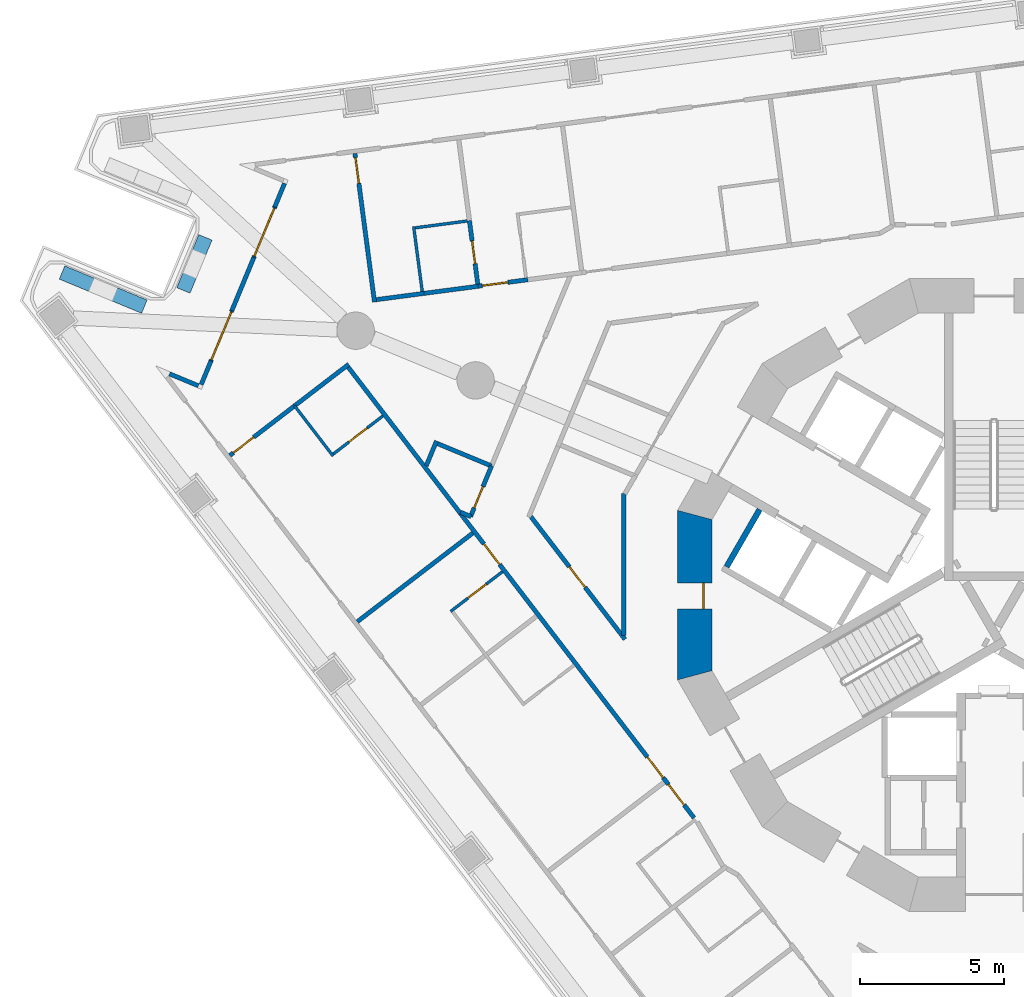
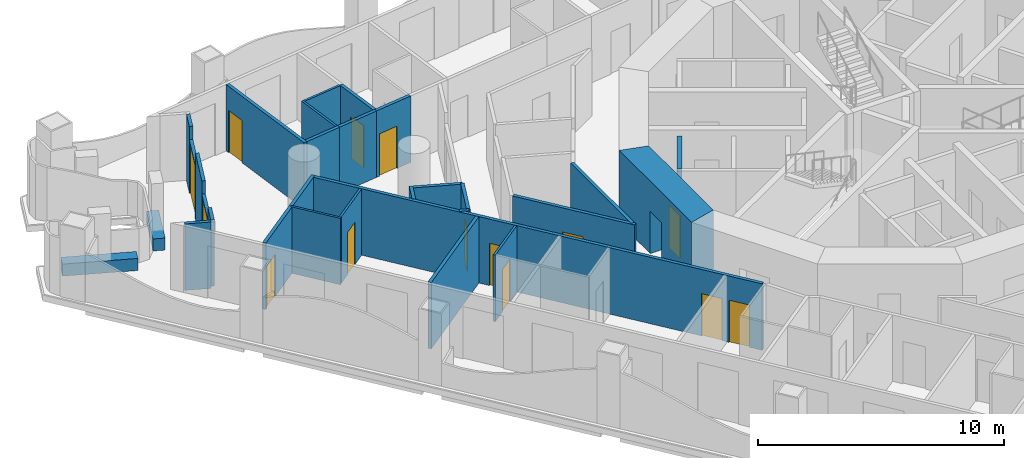
# One storey, part 6 of 19: 30 walls, 14 doors, 14 openings.
"""IFC4 building model written with IfcOpenShell, lengths in metres."""

from ifc_helpers import new_model, si_unit, direction, frame, frame_2d, origin, place, context, subcontext, project, spatial, polyline, rectangle, outline, extrude, material, layer, layer_set, type_object, element, fill, save


model = new_model("IFC4")

# Units and contexts
model_context = context("Model", 3, precision=1e-05, world=origin(), true_north=direction((0.0, 1.0)))
body_context = subcontext(model_context, "Body", "Model", "MODEL_VIEW")
ifc_project = project(units=[si_unit("LENGTHUNIT", "METRE"), si_unit("AREAUNIT", "SQUARE_METRE"), si_unit("VOLUMEUNIT", "CUBIC_METRE"), si_unit("PLANEANGLEUNIT", "RADIAN"), si_unit("MASSUNIT", "GRAM", prefix="KILO")], contexts=[model_context])

# Site, building, storey
site_placement = place(None, origin())
site = spatial("IfcSite", under=ifc_project, at=site_placement, CompositionType="ELEMENT")
building_placement = place(site_placement, origin())
building = spatial("IfcBuilding", under=site, at=building_placement, Name="Trine Commons Tower", CompositionType="ELEMENT")
storey_placement = place(building_placement, frame((0.0, 0.0, 72.0)))
storey = spatial("IfcBuildingStorey", under=building, at=storey_placement, Name="L17", CompositionType="ELEMENT", Elevation=72.0)

# Walls
ifc_material_1 = material(Name="Aluminium-framed insulated wall panel", Category="aluminium")
ifc_layer_1 = layer(ifc_material_1, 0.14990234375)
ifc_layer_set_1 = layer_set([ifc_layer_1], Name="Aluminium-framed insulated wall panel")
wall_type_1 = type_object("IfcWallType", Name="Glazed frame wall 150, EI 60", PredefinedType="SOLIDWALL", material=ifc_layer_set_1)
wall_1_placement = place(storey_placement, frame((51.175537109375, 70.256103515625, 0.0), z_axis=(0.0, 0.0, 1.0), x_axis=(0.923901801611, -0.382629665579, 0.0)))
element("IfcWall", 1, at=wall_1_placement, inside=storey, type_object=wall_type_1, Name="Glazed frame wall R1", PredefinedType="SOLIDWALL", context=body_context, shape_type="SweptSolid", body=[
    extrude(outline(polyline([(0.1494140625, 0.074951171875), (0.1494140625, -0.074951171875), (1.235107421875, -0.074951171875), (1.235107421875, 0.074951171875), (0.1494140625, 0.074951171875)])), origin(), (0.0, 0.0, 1.0), 3.300048828125),
])
wall_2_placement = place(storey_placement, frame((52.372314453125, 69.722412109375, 0.0), z_axis=(0.0, 0.0, 1.0), x_axis=(0.382603377961, 0.923912688068, 0.0)))
element("IfcWall", 2, at=wall_2_placement, inside=storey, type_object=wall_type_1, Name="Glazed frame wall P1.1", PredefinedType="SOLIDWALL", context=body_context, shape_type="SweptSolid", body=[
    extrude(outline(polyline([(0.110107421875, -0.074951171875), (1.0, -0.074951171875), (1.0, 0.074951171875), (0.110107421875, 0.074951171875), (0.110107421875, -0.074951171875)])), origin(), (0.0, 0.0, 1.0), 3.300048828125),
])

# Wall, opening, door
wall_3_placement = place(storey_placement, frame((52.7548828125, 70.646240234375, 0.0), z_axis=(0.0, 0.0, 1.0), x_axis=(0.382771661121, 0.923842982028, 0.0)))
wall_3 = element("IfcWall", 3, at=wall_3_placement, inside=storey, type_object=wall_type_1, Name="Glazed frame wall P1.2", PredefinedType="SOLIDWALL", context=body_context, shape_type="SweptSolid", body=[
    extrude(outline(polyline([(0.0, -0.074951171875), (1.89990234375, -0.074951171875), (1.89990234375, 0.074951171875), (0.0, 0.074951171875), (0.0, -0.074951171875)])), origin(), (0.0, 0.0, 1.0), 2.64990234375),
])
opening_1_placement = place(wall_3_placement, frame((0.050048828125, 0.0, 0.0)))
opening_1 = element("IfcOpeningElement", 4, at=opening_1_placement, cuts=wall_3, Name="Opening BD-2P1-01", PredefinedType="OPENING", context=body_context, shape_type="SweptSolid", body=[
    extrude(rectangle(XDim=1.800048828125, YDim=2.60009765625, at=frame_2d((0.89990234375, 1.300048828125))), frame((0.0, 0.0849609375, 0.0), z_axis=(0.0, -1.0, 0.0), x_axis=(1.0, 0.0, 0.0)), (0.0, 0.0, 1.0), 0.169921875),
])
ifc_material_2 = material(Name="Anodised aluminium frame with double glazing", Category="aluminium")
door_type_1 = type_object("IfcDoorType", Name="Sliding loggia door 1800x2600", OperationType="SLIDING_TO_LEFT", PredefinedType="DOOR", material=ifc_material_2)
door_1_placement = place(opening_1_placement, origin())
door_1 = element("IfcDoor", 5, at=door_1_placement, inside=storey, type_object=door_type_1, Name="Loggia door P1 1", OperationType="SLIDING_TO_LEFT", OverallHeight=2.60009765625, OverallWidth=1.800048828125, PredefinedType="DOOR", context=body_context, shape_type="SweptSolid", body=[
    extrude(rectangle(XDim=1.800048828125, YDim=2.60009765625, at=frame_2d((0.89990234375, 1.300048828125))), frame((0.0, 0.02490234375, 0.0), z_axis=(0.0, -1.0, 0.0), x_axis=(1.0, 0.0, 0.0)), (0.0, 0.0, 1.0), 0.050048828125),
])
fill(opening_1, door_1)

# Wall
wall_4_placement = place(storey_placement, frame((53.482177734375, 72.401611328125, 0.0), z_axis=(0.0, 0.0, 1.0), x_axis=(0.382664423091, 0.923887406181, 0.0)))
element("IfcWall", 6, at=wall_4_placement, inside=storey, type_object=wall_type_1, Name="Glazed frame wall P1.3", PredefinedType="SOLIDWALL", context=body_context, shape_type="SweptSolid", body=[
    extrude(outline(polyline([(0.0, -0.074951171875), (2.0, -0.074951171875), (2.0, 0.074951171875), (0.0, 0.074951171875), (0.0, -0.074951171875)])), origin(), (0.0, 0.0, 1.0), 3.300048828125),
])

# Wall, opening, door
wall_5_placement = place(storey_placement, frame((54.24755859375, 74.24951171875, 0.0), z_axis=(0.0, 0.0, 1.0), x_axis=(0.382661988648, 0.923888414498, 0.0)))
wall_5 = element("IfcWall", 7, at=wall_5_placement, inside=storey, type_object=wall_type_1, Name="Glazed frame wall P1.4", PredefinedType="SOLIDWALL", context=body_context, shape_type="SweptSolid", body=[
    extrude(outline(polyline([(0.0, -0.074951171875), (1.89990234375, -0.074951171875), (1.89990234375, 0.074951171875), (0.0, 0.074951171875), (0.0, -0.074951171875)])), origin(), (0.0, 0.0, 1.0), 2.64990234375),
])
opening_2_placement = place(wall_5_placement, frame((0.050048828125, 0.0, 0.0)))
opening_2 = element("IfcOpeningElement", 8, at=opening_2_placement, cuts=wall_5, Name="Opening BD-2P1-02", PredefinedType="OPENING", context=body_context, shape_type="SweptSolid", body=[
    extrude(rectangle(XDim=1.800048828125, YDim=2.60009765625, at=frame_2d((0.89990234375, 1.300048828125))), frame((0.0, 0.0849609375, 0.0), z_axis=(0.0, -1.0, 0.0), x_axis=(1.0, 0.0, 0.0)), (0.0, 0.0, 1.0), 0.169921875),
])
door_2_placement = place(opening_2_placement, origin())
door_2 = element("IfcDoor", 9, at=door_2_placement, inside=storey, type_object=door_type_1, Name="Loggia door P1 2", OperationType="SLIDING_TO_LEFT", OverallHeight=2.60009765625, OverallWidth=1.800048828125, PredefinedType="DOOR", context=body_context, shape_type="SweptSolid", body=[
    extrude(rectangle(XDim=1.800048828125, YDim=2.60009765625, at=frame_2d((0.89990234375, 1.300048828125))), frame((0.0, 0.02490234375, 0.0), z_axis=(0.0, -1.0, 0.0), x_axis=(1.0, 0.0, 0.0)), (0.0, 0.0, 1.0), 0.050048828125),
])
fill(opening_2, door_2)

# Walls
wall_6_placement = place(storey_placement, frame((54.974609375, 76.0048828125, 0.0), z_axis=(0.0, 0.0, 1.0), x_axis=(0.382811769845, 0.923826362943, 0.0)))
element("IfcWall", 10, at=wall_6_placement, inside=storey, type_object=wall_type_1, Name="Glazed frame wall P1.5", PredefinedType="SOLIDWALL", context=body_context, shape_type="SweptSolid", body=[
    extrude(outline(polyline([(0.889892578125, 0.074951171875), (0.0, 0.074951171875), (0.0, -0.074951171875), (0.889892578125, -0.074951171875), (0.889892578125, 0.074951171875)])), origin(), (0.0, 0.0, 1.0), 3.300048828125),
])
ifc_material_3 = material(Name="Planter trough, precast concrete C40/50", Category="concrete")
ifc_layer_2 = layer(ifc_material_3, 0.5)
ifc_layer_set_2 = layer_set([ifc_layer_2], Name="Planter trough, precast concrete C40/50")
wall_type_2 = type_object("IfcWallType", Name="Planter trough 500x600", PredefinedType="PARAPET", material=ifc_layer_set_2)
wall_7_placement = place(storey_placement, frame((47.5732421875, 73.723388671875, 0.0), z_axis=(0.0, 0.0, 1.0), x_axis=(0.923883411188, -0.382674068277, 0.0)))
element("IfcWall", 11, at=wall_7_placement, inside=storey, type_object=wall_type_2, Name="Planter 1", PredefinedType="PARAPET", context=body_context, shape_type="SweptSolid", body=[
    extrude(rectangle(XDim=3.099853515625, YDim=0.5, at=frame_2d((1.5498046875, 0.0))), origin(), (0.0, 0.0, 1.0), 0.60009765625),
])
wall_8_placement = place(storey_placement, frame((51.796142578125, 73.10009765625, 0.0), z_axis=(0.0, 0.0, 1.0), x_axis=(0.382603377961, 0.923912688068, 0.0)))
element("IfcWall", 12, at=wall_8_placement, inside=storey, type_object=wall_type_2, Name="Planter 2", PredefinedType="PARAPET", context=body_context, shape_type="SweptSolid", body=[
    extrude(rectangle(XDim=1.999755859375, YDim=0.5, at=frame_2d((1.0, 0.0))), origin(), (0.0, 0.0, 1.0), 0.60009765625),
])

# Wall, opening, door
ifc_material_4 = material(Name="Concrete C80/95", Category="concrete")
ifc_layer_3 = layer(ifc_material_4, 1.199951171875)
ifc_layer_set_3 = layer_set([ifc_layer_3], Name="Concrete C80/95")
wall_type_3 = type_object("IfcWallType", Name="RC shear wall 1200 mm, C80/95", PredefinedType="SHEAR", material=ifc_layer_set_3)
wall_9_placement = place(storey_placement, frame((69.58837890625, 65.450439453125, 0.0), z_axis=(0.0, 0.0, 1.0), x_axis=(0.0, -1.0, 0.0)))
wall_9 = element("IfcWall", 13, at=wall_9_placement, inside=storey, type_object=wall_type_3, Name="Core wall CWB-07 L17", PredefinedType="SHEAR", context=body_context, shape_type="SweptSolid", body=[
    extrude(outline(polyline([(0.0, -0.60009765625), (5.90087890625, -0.60009765625), (5.57958984375, 0.60009765625), (0.321533203125, 0.60009765625), (0.0, -0.60009765625)])), origin(), (0.0, 0.0, 1.0), 3.60009765625),
])
opening_3_placement = place(wall_9_placement, frame((2.525390625, 0.0, 0.0)))
opening_3 = element("IfcOpeningElement", 14, at=opening_3_placement, cuts=wall_9, Name="Opening K04.14", PredefinedType="OPENING", context=body_context, shape_type="SweptSolid", body=[
    extrude(rectangle(XDim=0.89990234375, YDim=2.10009765625, at=frame_2d((0.449951171875, 1.050048828125))), frame((0.0, 0.60986328125, 0.0), z_axis=(0.0, -1.0, 0.0), x_axis=(1.0, 0.0, 0.0)), (0.0, 0.0, 1.0), 1.219970703125),
])
ifc_material_5 = material(Name="Steel door leaf, fire-rated", Category="steel")
door_type_2 = type_object("IfcDoorType", Name="Core room door, single leaf 900 x 2100, FD30S", OperationType="SINGLE_SWING_LEFT", PredefinedType="DOOR", material=ifc_material_5)
door_3_placement = place(opening_3_placement, origin())
door_3 = element("IfcDoor", 15, at=door_3_placement, inside=storey, type_object=door_type_2, Name="Door to Print room L17", OperationType="SINGLE_SWING_RIGHT", OverallHeight=2.10009765625, OverallWidth=0.89990234375, PredefinedType="DOOR", context=body_context, shape_type="SweptSolid", body=[
    extrude(rectangle(XDim=0.89990234375, YDim=2.10009765625, at=frame_2d((0.449951171875, 1.050048828125))), frame((0.0, 0.3251953125, 0.0), z_axis=(0.0, -1.0, 0.0), x_axis=(1.0, 0.0, 0.0)), (0.0, 0.0, 1.0), 0.050048828125),
])
fill(opening_3, door_3)

# Wall
ifc_material_6 = material(Name="Fire-rated gypsum shaft wall system")
ifc_layer_4 = layer(ifc_material_6, 0.199951171875)
ifc_layer_set_4 = layer_set([ifc_layer_4], Name="Fire-rated gypsum shaft wall system")
wall_type_4 = type_object("IfcWallType", Name="Shaft wall 200 mm, EI 120", PredefinedType="PARTITIONING", material=ifc_layer_set_4)
wall_10_placement = place(storey_placement, frame((71.844970703125, 65.47607421875, 0.0), z_axis=(0.0, 0.0, 1.0), x_axis=(-0.500136062276, -0.86594683394, 0.0)))
element("IfcWall", 16, at=wall_10_placement, inside=storey, type_object=wall_type_4, Name="Shaft wall L17", PredefinedType="PARTITIONING", context=body_context, shape_type="SweptSolid", body=[
    extrude(rectangle(XDim=2.299072265625, YDim=0.199951171875, at=frame_2d((1.1494140625, 0.0))), origin(), (0.0, 0.0, 1.0), 3.300048828125),
])

# Wall, opening, door
ifc_material_7 = material(Name="Gypsum plasterboard on steel stud", Category="steel")
ifc_layer_5 = layer(ifc_material_7, 0.14990234375)
ifc_layer_set_5 = layer_set([ifc_layer_5], Name="Gypsum plasterboard on steel stud")
wall_type_5 = type_object("IfcWallType", Name="Unit and corridor wall 150 mm, EI 60", PredefinedType="PARTITIONING", material=ifc_layer_set_5)
wall_11_placement = place(storey_placement, frame((53.41162109375, 67.3583984375, 0.0), z_axis=(0.0, 0.0, 1.0), x_axis=(0.793542758611, 0.608514494696, 0.0)))
wall_11 = element("IfcWall", 17, at=wall_11_placement, inside=storey, type_object=wall_type_5, Name="Partition 001", PredefinedType="PARTITIONING", context=body_context, shape_type="SweptSolid", body=[
    extrude(rectangle(XDim=2.842041015625, YDim=0.14990234375, at=frame_2d((1.4208984375, 0.0))), origin(), (0.0, 0.0, 1.0), 3.300048828125),
])
opening_4_placement = place(wall_11_placement, frame((0.14990234375, 0.0, 0.0)))
opening_4 = element("IfcOpeningElement", 18, at=opening_4_placement, cuts=wall_11, Name="Opening D-2C32", PredefinedType="OPENING", context=body_context, shape_type="SweptSolid", body=[
    extrude(rectangle(XDim=0.89990234375, YDim=2.10009765625, at=frame_2d((0.449951171875, 1.050048828125))), frame((0.0, 0.0849609375, 0.0), z_axis=(0.0, -1.0, 0.0), x_axis=(1.0, 0.0, 0.0)), (0.0, 0.0, 1.0), 0.169921875),
])
ifc_material_8 = material(Name="Timber fire door set", Category="wood")
door_type_3 = type_object("IfcDoorType", Name="Bedroom door 900 x 2100, FD30S", OperationType="NOTDEFINED", PredefinedType="DOOR", material=ifc_material_8)
door_4_placement = place(opening_4_placement, frame((0.89990234375, 0.0, 0.0), z_axis=(0.0, 0.0, 1.0), x_axis=(-1.0, 0.0, 0.0)))
door_4 = element("IfcDoor", 19, at=door_4_placement, inside=storey, type_object=door_type_3, Name="Door D-2C32", OperationType="SINGLE_SWING_RIGHT", OverallHeight=2.10009765625, OverallWidth=0.89990234375, PredefinedType="DOOR", context=body_context, shape_type="SweptSolid", body=[
    extrude(rectangle(XDim=0.89990234375, YDim=2.10009765625, at=frame_2d((0.449951171875, 1.050048828125))), frame((0.0, 0.02490234375, 0.0), z_axis=(0.0, -1.0, 0.0), x_axis=(1.0, 0.0, 0.0)), (0.0, 0.0, 1.0), 0.050048828125),
])
fill(opening_4, door_4)

# Wall
wall_12_placement = place(storey_placement, frame((55.660888671875, 69.083984375, 0.0), z_axis=(0.0, 0.0, 1.0), x_axis=(0.793348529131, 0.608767698984, 0.0)))
element("IfcWall", 20, at=wall_12_placement, inside=storey, type_object=wall_type_5, Name="Partition 002", PredefinedType="PARTITIONING", context=body_context, shape_type="SweptSolid", body=[
    extrude(rectangle(XDim=2.378173828125, YDim=0.14990234375, at=frame_2d((1.18896484375, 0.0))), origin(), (0.0, 0.0, 1.0), 3.300048828125),
])

# Wall, openings, doors
wall_13_placement = place(storey_placement, frame((57.53369140625, 70.426513671875, 0.0), z_axis=(0.0, 0.0, 1.0), x_axis=(0.608794371867, -0.793328061261, 0.0)))
wall_13 = element("IfcWall", 21, at=wall_13_placement, inside=storey, type_object=wall_type_5, Name="Partition 005", PredefinedType="PARTITIONING", context=body_context, shape_type="SweptSolid", body=[
    extrude(rectangle(XDim=19.75927734375, YDim=0.14990234375, at=frame_2d((9.879638671875, 0.0))), origin(), (0.0, 0.0, 1.0), 3.300048828125),
])
opening_5_placement = place(wall_13_placement, frame((18.293212890625, 0.0, 0.0)))
opening_5 = element("IfcOpeningElement", 22, at=opening_5_placement, cuts=wall_13, Name="Opening D-2C29", PredefinedType="OPENING", context=body_context, shape_type="SweptSolid", body=[
    extrude(rectangle(XDim=0.89990234375, YDim=2.10009765625, at=frame_2d((0.449951171875, 1.050048828125))), frame((0.0, 0.0849609375, 0.0), z_axis=(0.0, -1.0, 0.0), x_axis=(1.0, 0.0, 0.0)), (0.0, 0.0, 1.0), 0.169921875),
])
opening_6_placement = place(wall_13_placement, frame((17.093017578125, 0.0, 0.0)))
opening_6 = element("IfcOpeningElement", 23, at=opening_6_placement, cuts=wall_13, Name="Opening D-2C30", PredefinedType="OPENING", context=body_context, shape_type="SweptSolid", body=[
    extrude(rectangle(XDim=0.89990234375, YDim=2.10009765625, at=frame_2d((0.449951171875, 1.050048828125))), frame((0.0, 0.0849609375, 0.0), z_axis=(0.0, -1.0, 0.0), x_axis=(1.0, 0.0, 0.0)), (0.0, 0.0, 1.0), 0.169921875),
])
opening_7_placement = place(wall_13_placement, frame((7.747802734375, 0.0, 0.0)))
opening_7 = element("IfcOpeningElement", 24, at=opening_7_placement, cuts=wall_13, Name="Opening D-2C31", PredefinedType="OPENING", context=body_context, shape_type="SweptSolid", body=[
    extrude(rectangle(XDim=0.89990234375, YDim=2.10009765625, at=frame_2d((0.449951171875, 1.050048828125))), frame((0.0, 0.0849609375, 0.0), z_axis=(0.0, -1.0, 0.0), x_axis=(1.0, 0.0, 0.0)), (0.0, 0.0, 1.0), 0.169921875),
])
door_5_placement = place(opening_5_placement, frame((0.89990234375, 0.0, 0.0), z_axis=(0.0, 0.0, 1.0), x_axis=(-1.0, 0.0, 0.0)))
door_5 = element("IfcDoor", 25, at=door_5_placement, inside=storey, type_object=door_type_3, Name="Door D-2C29", OperationType="SINGLE_SWING_LEFT", OverallHeight=2.10009765625, OverallWidth=0.89990234375, PredefinedType="DOOR", context=body_context, shape_type="SweptSolid", body=[
    extrude(rectangle(XDim=0.89990234375, YDim=2.10009765625, at=frame_2d((0.449951171875, 1.050048828125))), frame((0.0, 0.02490234375, 0.0), z_axis=(0.0, -1.0, 0.0), x_axis=(1.0, 0.0, 0.0)), (0.0, 0.0, 1.0), 0.050048828125),
])
fill(opening_5, door_5)
door_6_placement = place(opening_6_placement, frame((0.89990234375, 0.0, 0.0), z_axis=(0.0, 0.0, 1.0), x_axis=(-1.0, 0.0, 0.0)))
door_6 = element("IfcDoor", 26, at=door_6_placement, inside=storey, type_object=door_type_3, Name="Door D-2C30", OperationType="SINGLE_SWING_LEFT", OverallHeight=2.10009765625, OverallWidth=0.89990234375, PredefinedType="DOOR", context=body_context, shape_type="SweptSolid", body=[
    extrude(rectangle(XDim=0.89990234375, YDim=2.10009765625, at=frame_2d((0.449951171875, 1.050048828125))), frame((0.0, 0.02490234375, 0.0), z_axis=(0.0, -1.0, 0.0), x_axis=(1.0, 0.0, 0.0)), (0.0, 0.0, 1.0), 0.050048828125),
])
fill(opening_6, door_6)
door_7_placement = place(opening_7_placement, frame((0.89990234375, 0.0, 0.0), z_axis=(0.0, 0.0, 1.0), x_axis=(-1.0, 0.0, 0.0)))
door_7 = element("IfcDoor", 27, at=door_7_placement, inside=storey, type_object=door_type_3, Name="Door D-2C31", OperationType="SINGLE_SWING_RIGHT", OverallHeight=2.10009765625, OverallWidth=0.89990234375, PredefinedType="DOOR", context=body_context, shape_type="SweptSolid", body=[
    extrude(rectangle(XDim=0.89990234375, YDim=2.10009765625, at=frame_2d((0.449951171875, 1.050048828125))), frame((0.0, 0.02490234375, 0.0), z_axis=(0.0, -1.0, 0.0), x_axis=(1.0, 0.0, 0.0)), (0.0, 0.0, 1.0), 0.050048828125),
])
fill(opening_7, door_7)

# Wall, opening, door
wall_14_placement = place(storey_placement, frame((57.76416015625, 77.8662109375, 0.0), z_axis=(0.0, 0.0, 1.0), x_axis=(0.130538083061, -0.991443295842, 0.0)))
wall_14 = element("IfcWall", 28, at=wall_14_placement, inside=storey, type_object=wall_type_5, Name="Partition 006", PredefinedType="PARTITIONING", context=body_context, shape_type="SweptSolid", body=[
    extrude(rectangle(XDim=5.21435546875, YDim=0.14990234375, at=frame_2d((2.607177734375, 0.0))), origin(), (0.0, 0.0, 1.0), 3.300048828125),
])
opening_8_placement = place(wall_14_placement, frame((0.14990234375, 0.0, 0.0)))
opening_8 = element("IfcOpeningElement", 29, at=opening_8_placement, cuts=wall_14, Name="Opening D-2C07", PredefinedType="OPENING", context=body_context, shape_type="SweptSolid", body=[
    extrude(rectangle(XDim=0.89990234375, YDim=2.10009765625, at=frame_2d((0.449951171875, 1.050048828125))), frame((0.0, 0.0849609375, 0.0), z_axis=(0.0, -1.0, 0.0), x_axis=(1.0, 0.0, 0.0)), (0.0, 0.0, 1.0), 0.169921875),
])
door_8_placement = place(opening_8_placement, origin())
door_8 = element("IfcDoor", 30, at=door_8_placement, inside=storey, type_object=door_type_3, Name="Door D-2C07", OperationType="SINGLE_SWING_LEFT", OverallHeight=2.10009765625, OverallWidth=0.89990234375, PredefinedType="DOOR", context=body_context, shape_type="SweptSolid", body=[
    extrude(rectangle(XDim=0.89990234375, YDim=2.10009765625, at=frame_2d((0.449951171875, 1.050048828125))), frame((0.0, 0.02490234375, 0.0), z_axis=(0.0, -1.0, 0.0), x_axis=(1.0, 0.0, 0.0)), (0.0, 0.0, 1.0), 0.050048828125),
])
fill(opening_8, door_8)

# Walls
wall_15_placement = place(storey_placement, frame((57.84765625, 61.576416015625, 0.0), z_axis=(0.0, 0.0, 1.0), x_axis=(0.793374300247, 0.608734112488, 0.0)))
element("IfcWall", 31, at=wall_15_placement, inside=storey, type_object=wall_type_5, Name="Partition 007", PredefinedType="PARTITIONING", context=body_context, shape_type="SweptSolid", body=[
    extrude(rectangle(XDim=5.064208984375, YDim=0.14990234375, at=frame_2d((2.5322265625, 0.0))), origin(), (0.0, 0.0, 1.0), 3.300048828125),
])
wall_16_placement = place(storey_placement, frame((58.509521484375, 72.78076171875, 0.0), z_axis=(0.0, 0.0, 1.0), x_axis=(0.99149595725, 0.13013749174, 0.0)))
element("IfcWall", 32, at=wall_16_placement, inside=storey, type_object=wall_type_5, Name="Partition 008", PredefinedType="PARTITIONING", context=body_context, shape_type="SweptSolid", body=[
    extrude(rectangle(XDim=1.67333984375, YDim=0.14990234375, at=frame_2d((0.836669921875, 0.0))), origin(), (0.0, 0.0, 1.0), 3.300048828125),
])
wall_17_placement = place(storey_placement, frame((60.111083984375, 72.990966796875, 0.0), z_axis=(0.0, 0.0, 1.0), x_axis=(0.991437274098, 0.130583810365, 0.0)))
element("IfcWall", 33, at=wall_17_placement, inside=storey, type_object=wall_type_5, Name="Partition 012", PredefinedType="PARTITIONING", context=body_context, shape_type="SweptSolid", body=[
    extrude(rectangle(XDim=1.953857421875, YDim=0.14990234375, at=frame_2d((0.97705078125, 0.0))), origin(), (0.0, 0.0, 1.0), 3.300048828125),
])
wall_18_placement = place(storey_placement, frame((60.24560546875, 67.000244140625, 0.0), z_axis=(0.0, 0.0, 1.0), x_axis=(0.383080061035, 0.923715143774, 0.0)))
element("IfcWall", 34, at=wall_18_placement, inside=storey, type_object=wall_type_5, Name="Partition 013", PredefinedType="PARTITIONING", context=body_context, shape_type="SweptSolid", body=[
    extrude(rectangle(XDim=0.9375, YDim=0.14990234375, at=frame_2d((0.46875, 0.0))), origin(), (0.0, 0.0, 1.0), 3.300048828125),
])
wall_19_placement = place(storey_placement, frame((60.645263671875, 67.768310546875, 0.0), z_axis=(0.0, 0.0, 1.0), x_axis=(0.923799320148, -0.382877024767, 0.0)))
element("IfcWall", 35, at=wall_19_placement, inside=storey, type_object=wall_type_5, Name="Partition 014", PredefinedType="PARTITIONING", context=body_context, shape_type="SweptSolid", body=[
    extrude(rectangle(XDim=2.025146484375, YDim=0.14990234375, at=frame_2d((1.0126953125, 0.0))), origin(), (0.0, 0.0, 1.0), 3.300048828125),
])
wall_20_placement = place(storey_placement, frame((61.43896484375, 65.38330078125, 0.0), z_axis=(0.0, 0.0, 1.0), x_axis=(0.923599819829, -0.383358021714, 0.0)))
element("IfcWall", 36, at=wall_20_placement, inside=storey, type_object=wall_type_5, Name="Partition 018", PredefinedType="PARTITIONING", context=body_context, shape_type="SweptSolid", body=[
    extrude(rectangle(XDim=0.39990234375, YDim=0.14990234375, at=frame_2d((0.199951171875, 0.0))), origin(), (0.0, 0.0, 1.0), 3.300048828125),
])

# Wall, opening, door
wall_21_placement = place(storey_placement, frame((61.748046875, 75.527099609375, 0.0), z_axis=(0.0, 0.0, 1.0), x_axis=(0.130309803154, -0.991473325512, 0.0)))
wall_21 = element("IfcWall", 37, at=wall_21_placement, inside=storey, type_object=wall_type_5, Name="Partition 019", PredefinedType="PARTITIONING", context=body_context, shape_type="SweptSolid", body=[
    extrude(rectangle(XDim=2.225830078125, YDim=0.14990234375, at=frame_2d((1.11279296875, 0.0))), origin(), (0.0, 0.0, 1.0), 3.300048828125),
])
opening_9_placement = place(wall_21_placement, frame((0.712890625, 0.0, 0.0)))
opening_9 = element("IfcOpeningElement", 38, at=opening_9_placement, cuts=wall_21, Name="Opening D-2C42", PredefinedType="OPENING", context=body_context, shape_type="SweptSolid", body=[
    extrude(rectangle(XDim=0.800048828125, YDim=2.10009765625, at=frame_2d((0.39990234375, 1.050048828125))), frame((0.0, 0.0849609375, 0.0), z_axis=(0.0, -1.0, 0.0), x_axis=(1.0, 0.0, 0.0)), (0.0, 0.0, 1.0), 0.169921875),
])
ifc_material_9 = material(Name="Painted timber", Category="wood")
door_type_4 = type_object("IfcDoorType", Name="Internal door 800 x 2100, NOT RATED", OperationType="NOTDEFINED", PredefinedType="DOOR", material=ifc_material_9)
door_9_placement = place(opening_9_placement, origin())
door_9 = element("IfcDoor", 39, at=door_9_placement, inside=storey, type_object=door_type_4, Name="Door D-2C42", OperationType="SINGLE_SWING_LEFT", OverallHeight=2.10009765625, OverallWidth=0.800048828125, PredefinedType="DOOR", context=body_context, shape_type="SweptSolid", body=[
    extrude(rectangle(XDim=0.800048828125, YDim=2.10009765625, at=frame_2d((0.39990234375, 1.050048828125))), frame((0.0, 0.02490234375, 0.0), z_axis=(0.0, -1.0, 0.0), x_axis=(1.0, 0.0, 0.0)), (0.0, 0.0, 1.0), 0.050048828125),
])
fill(opening_9, door_9)

wall_22_placement = place(storey_placement, frame((61.787109375, 65.23388671875, 0.0), z_axis=(0.0, 0.0, 1.0), x_axis=(0.38314285934, 0.923689097769, 0.0)))
wall_22 = element("IfcWall", 40, at=wall_22_placement, inside=storey, type_object=wall_type_5, Name="Partition 020", PredefinedType="PARTITIONING", context=body_context, shape_type="SweptSolid", body=[
    extrude(rectangle(XDim=1.90771484375, YDim=0.14990234375, at=frame_2d((0.953857421875, 0.0))), origin(), (0.0, 0.0, 1.0), 3.300048828125),
])
opening_10_placement = place(wall_22_placement, frame((0.328125, 0.0, 0.0)))
opening_10 = element("IfcOpeningElement", 41, at=opening_10_placement, cuts=wall_22, Name="Opening D-2C06", PredefinedType="OPENING", context=body_context, shape_type="SweptSolid", body=[
    extrude(rectangle(XDim=0.800048828125, YDim=2.10009765625, at=frame_2d((0.39990234375, 1.050048828125))), frame((0.0, 0.0849609375, 0.0), z_axis=(0.0, -1.0, 0.0), x_axis=(1.0, 0.0, 0.0)), (0.0, 0.0, 1.0), 0.169921875),
])
door_type_5 = type_object("IfcDoorType", Name="Toilet door 800 x 2100, NOT RATED", OperationType="NOTDEFINED", PredefinedType="DOOR", material=ifc_material_9)
door_10_placement = place(opening_10_placement, origin())
door_10 = element("IfcDoor", 42, at=door_10_placement, inside=storey, type_object=door_type_5, Name="Door D-2C06", OperationType="SINGLE_SWING_LEFT", OverallHeight=2.10009765625, OverallWidth=0.800048828125, PredefinedType="DOOR", context=body_context, shape_type="SweptSolid", body=[
    extrude(rectangle(XDim=0.800048828125, YDim=2.10009765625, at=frame_2d((0.39990234375, 1.050048828125))), frame((0.0, 0.02490234375, 0.0), z_axis=(0.0, -1.0, 0.0), x_axis=(1.0, 0.0, 0.0)), (0.0, 0.0, 1.0), 0.050048828125),
])
fill(opening_10, door_10)

wall_23_placement = place(storey_placement, frame((62.048095703125, 73.24609375, 0.0), z_axis=(0.0, 0.0, 1.0), x_axis=(0.991412396829, 0.130772548398, 0.0)))
wall_23 = element("IfcWall", 43, at=wall_23_placement, inside=storey, type_object=wall_type_5, Name="Partition 021", PredefinedType="PARTITIONING", context=body_context, shape_type="SweptSolid", body=[
    extrude(rectangle(XDim=1.747314453125, YDim=0.14990234375, at=frame_2d((0.87353515625, 0.0))), origin(), (0.0, 0.0, 1.0), 3.300048828125),
])
opening_11_placement = place(wall_23_placement, frame((0.14990234375, 0.0, 0.0)))
opening_11 = element("IfcOpeningElement", 44, at=opening_11_placement, cuts=wall_23, Name="Opening D-2C08", PredefinedType="OPENING", context=body_context, shape_type="SweptSolid", body=[
    extrude(rectangle(XDim=0.89990234375, YDim=2.10009765625, at=frame_2d((0.449951171875, 1.050048828125))), frame((0.0, 0.0849609375, 0.0), z_axis=(0.0, -1.0, 0.0), x_axis=(1.0, 0.0, 0.0)), (0.0, 0.0, 1.0), 0.169921875),
])
door_11_placement = place(opening_11_placement, origin())
door_11 = element("IfcDoor", 45, at=door_11_placement, inside=storey, type_object=door_type_3, Name="Door D-2C08", OperationType="SINGLE_SWING_LEFT", OverallHeight=2.10009765625, OverallWidth=0.89990234375, PredefinedType="DOOR", context=body_context, shape_type="SweptSolid", body=[
    extrude(rectangle(XDim=0.89990234375, YDim=2.10009765625, at=frame_2d((0.449951171875, 1.050048828125))), frame((0.0, 0.02490234375, 0.0), z_axis=(0.0, -1.0, 0.0), x_axis=(1.0, 0.0, 0.0)), (0.0, 0.0, 1.0), 0.050048828125),
])
fill(opening_11, door_11)

wall_24_placement = place(storey_placement, frame((63.8857421875, 65.2294921875, 0.0), z_axis=(0.0, 0.0, 1.0), x_axis=(0.608696503356, -0.793403155276, 0.0)))
wall_24 = element("IfcWall", 46, at=wall_24_placement, inside=storey, type_object=wall_type_5, Name="Partition 028", PredefinedType="PARTITIONING", context=body_context, shape_type="SweptSolid", body=[
    extrude(rectangle(XDim=5.376953125, YDim=0.14990234375, at=frame_2d((2.6884765625, 0.0))), origin(), (0.0, 0.0, 1.0), 3.300048828125),
])
opening_12_placement = place(wall_24_placement, frame((2.200927734375, 0.0, 0.0)))
opening_12 = element("IfcOpeningElement", 47, at=opening_12_placement, cuts=wall_24, Name="Opening D-2C33", PredefinedType="OPENING", context=body_context, shape_type="SweptSolid", body=[
    extrude(rectangle(XDim=0.89990234375, YDim=2.10009765625, at=frame_2d((0.449951171875, 1.050048828125))), frame((0.0, 0.0849609375, 0.0), z_axis=(0.0, -1.0, 0.0), x_axis=(1.0, 0.0, 0.0)), (0.0, 0.0, 1.0), 0.169921875),
])
door_type_6 = type_object("IfcDoorType", Name="Service door 900 x 2100, FD30S", OperationType="NOTDEFINED", PredefinedType="DOOR", material=ifc_material_8)
door_12_placement = place(opening_12_placement, origin())
door_12 = element("IfcDoor", 48, at=door_12_placement, inside=storey, type_object=door_type_6, Name="Door D-2C33", OperationType="SINGLE_SWING_LEFT", OverallHeight=2.10009765625, OverallWidth=0.89990234375, PredefinedType="DOOR", context=body_context, shape_type="SweptSolid", body=[
    extrude(rectangle(XDim=0.89990234375, YDim=2.10009765625, at=frame_2d((0.449951171875, 1.050048828125))), frame((0.0, 0.02490234375, 0.0), z_axis=(0.0, -1.0, 0.0), x_axis=(1.0, 0.0, 0.0)), (0.0, 0.0, 1.0), 0.050048828125),
])
fill(opening_12, door_12)

# Walls
wall_25_placement = place(storey_placement, frame((67.113037109375, 61.093994140625, 0.0), z_axis=(0.0, 0.0, 1.0), x_axis=(0.0, 1.0, 0.0)))
element("IfcWall", 49, at=wall_25_placement, inside=storey, type_object=wall_type_5, Name="Partition 039", PredefinedType="PARTITIONING", context=body_context, shape_type="SweptSolid", body=[
    extrude(rectangle(XDim=4.93408203125, YDim=0.14990234375, at=frame_2d((2.467041015625, 0.0))), origin(), (0.0, 0.0, 1.0), 3.300048828125),
])
ifc_layer_6 = layer(ifc_material_7, 0.10009765625)
ifc_layer_set_6 = layer_set([ifc_layer_6], Name="Gypsum plasterboard on steel stud")
wall_type_6 = type_object("IfcWallType", Name="Unit partition 100 mm, no rating", PredefinedType="PARTITIONING", material=ifc_layer_set_6)
wall_26_placement = place(storey_placement, frame((55.6640625, 69.0859375, 0.0), z_axis=(0.0, 0.0, 1.0), x_axis=(0.608734333178, -0.793374130919, 0.0)))
element("IfcWall", 50, at=wall_26_placement, inside=storey, type_object=wall_type_6, Name="Partition 003", PredefinedType="PARTITIONING", context=body_context, shape_type="SweptSolid", body=[
    extrude(rectangle(XDim=2.2001953125, YDim=0.10009765625, at=frame_2d((1.10009765625, 0.0))), origin(), (0.0, 0.0, 1.0), 3.300048828125),
])

# Wall, opening, door
wall_27_placement = place(storey_placement, frame((57.0126953125, 67.410400390625, 0.0), z_axis=(0.0, 0.0, 1.0), x_axis=(0.793036915689, 0.609173579823, 0.0)))
wall_27 = element("IfcWall", 51, at=wall_27_placement, inside=storey, type_object=wall_type_6, Name="Partition 004", PredefinedType="PARTITIONING", context=body_context, shape_type="SweptSolid", body=[
    extrude(rectangle(XDim=2.175048828125, YDim=0.10009765625, at=frame_2d((1.08740234375, 0.0))), origin(), (0.0, 0.0, 1.0), 3.300048828125),
])
opening_13_placement = place(wall_27_placement, frame((0.6875, 0.0, 0.0)))
opening_13 = element("IfcOpeningElement", 52, at=opening_13_placement, cuts=wall_27, Name="Opening D-2C64", PredefinedType="OPENING", context=body_context, shape_type="SweptSolid", body=[
    extrude(rectangle(XDim=0.800048828125, YDim=2.10009765625, at=frame_2d((0.39990234375, 1.050048828125))), frame((0.0, 0.06005859375, 0.0), z_axis=(0.0, -1.0, 0.0), x_axis=(1.0, 0.0, 0.0)), (0.0, 0.0, 1.0), 0.1201171875),
])
door_13_placement = place(opening_13_placement, frame((0.800048828125, 0.0, 0.0), z_axis=(0.0, 0.0, 1.0), x_axis=(-1.0, 0.0, 0.0)))
door_13 = element("IfcDoor", 53, at=door_13_placement, inside=storey, type_object=door_type_4, Name="Door D-2C64", OperationType="SINGLE_SWING_LEFT", OverallHeight=2.10009765625, OverallWidth=0.800048828125, PredefinedType="DOOR", context=body_context, shape_type="SweptSolid", body=[
    extrude(rectangle(XDim=0.800048828125, YDim=2.10009765625, at=frame_2d((0.39990234375, 1.050048828125))), frame((0.0, 0.02490234375, 0.0), z_axis=(0.0, -1.0, 0.0), x_axis=(1.0, 0.0, 0.0)), (0.0, 0.0, 1.0), 0.050048828125),
])
fill(opening_13, door_13)

# Walls
wall_28_placement = place(storey_placement, frame((59.8076171875, 75.321533203125, 0.0), z_axis=(0.0, 0.0, 1.0), x_axis=(0.13083486939, -0.991404174367, 0.0)))
element("IfcWall", 54, at=wall_28_placement, inside=storey, type_object=wall_type_6, Name="Partition 009", PredefinedType="PARTITIONING", context=body_context, shape_type="SweptSolid", body=[
    extrude(rectangle(XDim=2.274658203125, YDim=0.10009765625, at=frame_2d((1.13720703125, 0.0))), origin(), (0.0, 0.0, 1.0), 3.300048828125),
])
wall_29_placement = place(storey_placement, frame((59.863525390625, 75.278564453125, 0.0), z_axis=(0.0, 0.0, 1.0), x_axis=(0.991428788066, 0.130648223083, 0.0)))
element("IfcWall", 55, at=wall_29_placement, inside=storey, type_object=wall_type_6, Name="Partition 010", PredefinedType="PARTITIONING", context=body_context, shape_type="SweptSolid", body=[
    extrude(rectangle(XDim=1.82568359375, YDim=0.10009765625, at=frame_2d((0.912841796875, 0.0))), origin(), (0.0, 0.0, 1.0), 3.300048828125),
])

# Wall, opening, door
wall_30_placement = place(storey_placement, frame((61.09130859375, 61.9306640625, 0.0), z_axis=(0.0, 0.0, 1.0), x_axis=(0.793437070432, 0.608652294224, 0.0)))
wall_30 = element("IfcWall", 56, at=wall_30_placement, inside=storey, type_object=wall_type_6, Name="Partition 015", PredefinedType="PARTITIONING", context=body_context, shape_type="SweptSolid", body=[
    extrude(rectangle(XDim=2.275146484375, YDim=0.10009765625, at=frame_2d((1.1376953125, 0.0))), origin(), (0.0, 0.0, 1.0), 3.300048828125),
])
opening_14_placement = place(wall_30_placement, frame((0.762451171875, 0.0, 0.0)))
opening_14 = element("IfcOpeningElement", 57, at=opening_14_placement, cuts=wall_30, Name="Opening D-2C63", PredefinedType="OPENING", context=body_context, shape_type="SweptSolid", body=[
    extrude(rectangle(XDim=0.800048828125, YDim=2.10009765625, at=frame_2d((0.39990234375, 1.050048828125))), frame((0.0, 0.06005859375, 0.0), z_axis=(0.0, -1.0, 0.0), x_axis=(1.0, 0.0, 0.0)), (0.0, 0.0, 1.0), 0.1201171875),
])
door_14_placement = place(opening_14_placement, origin())
door_14 = element("IfcDoor", 58, at=door_14_placement, inside=storey, type_object=door_type_4, Name="Door D-2C63", OperationType="SINGLE_SWING_RIGHT", OverallHeight=2.10009765625, OverallWidth=0.800048828125, PredefinedType="DOOR", context=body_context, shape_type="SweptSolid", body=[
    extrude(rectangle(XDim=0.800048828125, YDim=2.10009765625, at=frame_2d((0.39990234375, 1.050048828125))), frame((0.0, 0.02490234375, 0.0), z_axis=(0.0, -1.0, 0.0), x_axis=(1.0, 0.0, 0.0)), (0.0, 0.0, 1.0), 0.050048828125),
])
fill(opening_14, door_14)

save(model, "model.ifc")
